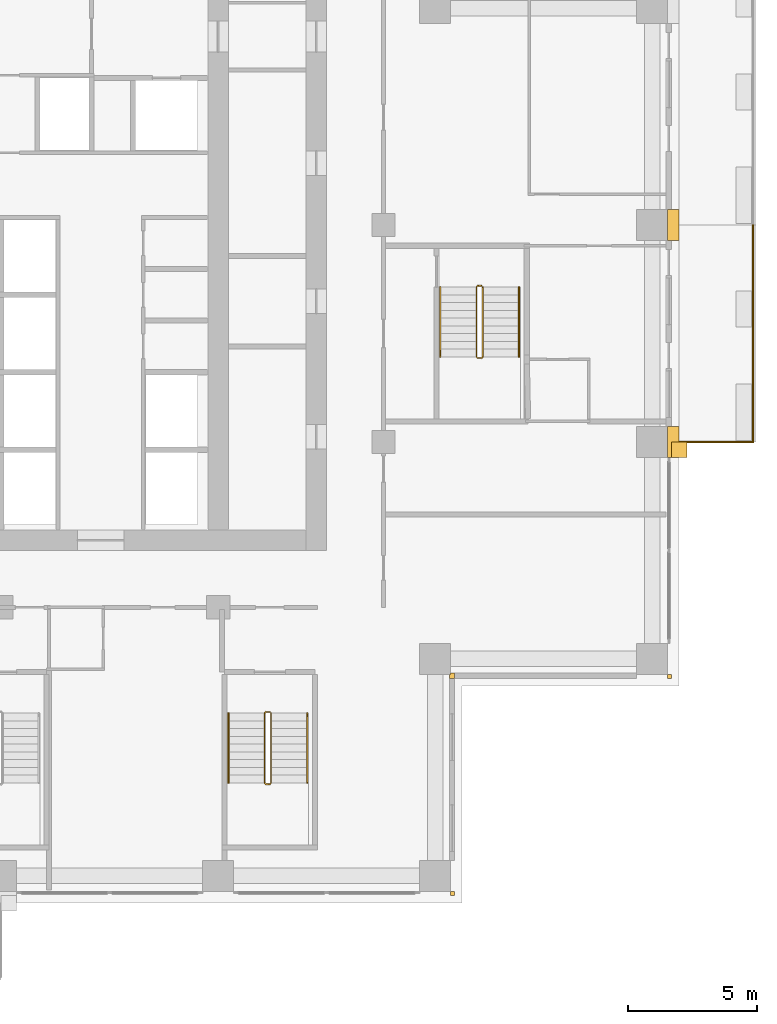
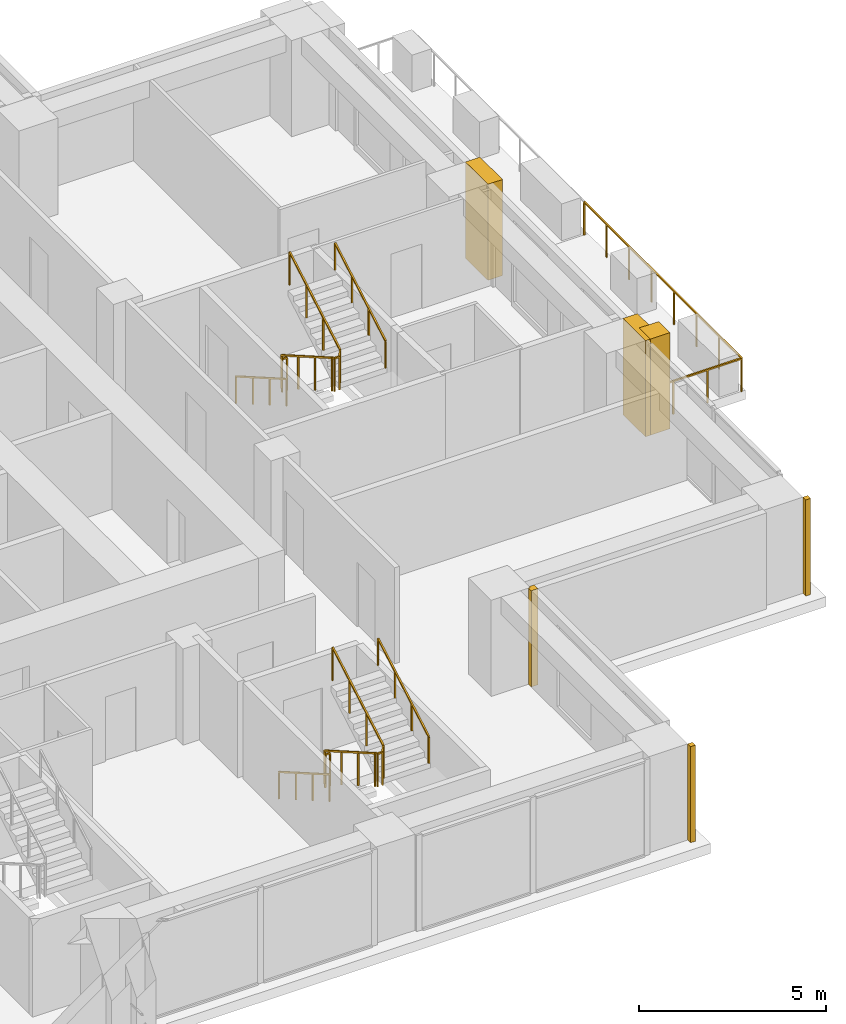
# One storey, part 14 of 16: 7 railings, 6 coverings.
"""IFC4 building model written with IfcOpenShell, lengths in metres."""

import ifcopenshell
import ifcopenshell.guid

model = None  # the IFC model being written
_history = None  # IfcOwnerHistory: only IFC2X3 demands one
_inside = {}  # id of a spatial element -> (the spatial element, [elements in it])
_under = {}  # id of a project, library or spatial element -> (it, [spatial elements below it])
_declared = {}  # id of a project -> (the project, [libraries it declares])
_typed = {}  # id of a type object -> (the type object, [elements of that type])
_made_of = {}  # id of a material, layer set ... -> (it, [elements and type objects made of it])


def new_model(schema):
    """Start an empty IFC model of exactly this schema.

    Asked for "IFC4X3", IfcOpenShell would pick the latest addendum, in which some entities
    have other attributes; the version numbers below select the first issue.
    IFC2X3 requires an IfcOwnerHistory on every rooted entity: one is made here for all.
    """
    global model, _history
    if schema == "IFC4X3":
        model = ifcopenshell.file(schema_version=(4, 3, 0, 0))
    else:
        model = ifcopenshell.file(schema=schema)
    _inside.clear()
    _under.clear()
    _declared.clear()
    _typed.clear()
    _made_of.clear()
    _history = None
    if model.schema == "IFC2X3":
        org = make("IfcOrganization", Name="unknown")
        user = make(
            "IfcPersonAndOrganization",
            ThePerson=make("IfcPerson", FamilyName="unknown"),
            TheOrganization=org,
        )
        app = make(
            "IfcApplication",
            ApplicationDeveloper=org,
            Version="unknown",
            ApplicationFullName="unknown",
            ApplicationIdentifier="unknown",
        )
        _history = make(
            "IfcOwnerHistory",
            OwningUser=user,
            OwningApplication=app,
            ChangeAction="ADDED",
            CreationDate=0,
        )
    return model


def make(cls, **values):
    """One entity of the class cls with the attributes given. An attribute that is None is left unset."""
    return model.create_entity(
        cls, **{name: value for name, value in values.items() if value is not None}
    )


def rooted(cls, **values):
    """An entity with a GlobalId (a new one), such as an element, a storey or a relation."""
    return make(cls, GlobalId=ifcopenshell.guid.new(), OwnerHistory=_history, **values)


def si_unit(unit_type, name, prefix=None):
    """IfcSIUnit, for example si_unit("LENGTHUNIT", "METRE", prefix="MILLI")."""
    return make("IfcSIUnit", UnitType=unit_type, Prefix=prefix, Name=name)


def assignment(units):
    """IfcUnitAssignment: the units of a project."""
    return None if units is None else make("IfcUnitAssignment", Units=units)


def point(xyz):
    """IfcCartesianPoint."""
    return None if xyz is None else make("IfcCartesianPoint", Coordinates=xyz)


def direction(xyz):
    """IfcDirection."""
    return None if xyz is None else make("IfcDirection", DirectionRatios=xyz)


def frame(location, z_axis=None, x_axis=None):
    """IfcAxis2Placement3D, a coordinate frame: its origin and axes. An axis left out is left unset."""
    return make(
        "IfcAxis2Placement3D",
        Location=point(location),
        Axis=direction(z_axis),
        RefDirection=direction(x_axis),
    )


def frame_2d(location, x_axis=None):
    """IfcAxis2Placement2D, a coordinate frame in the plane: its origin and x axis."""
    return make(
        "IfcAxis2Placement2D", Location=point(location), RefDirection=direction(x_axis)
    )


def origin():
    """The frame at (0, 0, 0) with its axes left unset."""
    return frame((0.0, 0.0, 0.0))


def origin_2d():
    """The frame at (0, 0) in the plane with its x axis left unset."""
    return frame_2d((0.0, 0.0))


def place(relative_to, where):
    """IfcLocalPlacement: puts the frame where relative to a parent placement (None: the world)."""
    return make(
        "IfcLocalPlacement", PlacementRelTo=relative_to, RelativePlacement=where
    )


def context(
    kind, dimensions, precision=None, world=None, true_north=None, identifier=None
):
    """IfcGeometricRepresentationContext, for example the 3D "Model" context."""
    return make(
        "IfcGeometricRepresentationContext",
        ContextIdentifier=identifier,
        ContextType=kind,
        CoordinateSpaceDimension=dimensions,
        Precision=precision,
        WorldCoordinateSystem=world,
        TrueNorth=true_north,
    )


def subcontext(parent, identifier, kind, view, scale=None):
    """IfcGeometricRepresentationSubContext, for example "Body" below "Model"."""
    return make(
        "IfcGeometricRepresentationSubContext",
        ContextIdentifier=identifier,
        ContextType=kind,
        ParentContext=parent,
        TargetScale=scale,
        TargetView=view,
    )


def project(units=None, contexts=None):
    """IfcProject with its units and contexts."""
    return rooted(
        "IfcProject",
        Name="project",
        RepresentationContexts=contexts,
        UnitsInContext=assignment(units),
    )


def spatial(cls, under=None, at=None, **own):
    """A site, building, storey or space (cls), placed at a placement, below another one or the project."""
    s = rooted(cls, ObjectPlacement=at, **own)
    if under is not None:
        _under.setdefault(under.id(), (under, []))[1].append(s)
    return s


def polyline(points):
    """IfcPolyline through the points."""
    return make("IfcPolyline", Points=[point(p) for p in points])


def profile(cls, at=None, kind="AREA", **sizes):
    """A parametric profile (cls). Its sizes go by their IFC names, for example OverallWidth=200.0."""
    return make(cls, ProfileType=kind, Position=at, **sizes)


def rectangle(**sizes):
    """IfcRectangleProfileDef."""
    return profile("IfcRectangleProfileDef", **sizes)


def outline(outer, holes=None, kind="AREA"):
    """IfcArbitraryClosedProfileDef: a profile drawn as a closed curve; with holes, ...WithVoids."""
    if holes is None:
        return make("IfcArbitraryClosedProfileDef", ProfileType=kind, OuterCurve=outer)
    return make(
        "IfcArbitraryProfileDefWithVoids",
        ProfileType=kind,
        OuterCurve=outer,
        InnerCurves=holes,
    )


def extrude(swept, where, along, depth):
    """IfcExtrudedAreaSolid: the profile swept, set in the frame where, extruded along a direction by depth."""
    return make(
        "IfcExtrudedAreaSolid",
        SweptArea=swept,
        Position=where,
        ExtrudedDirection=direction(along),
        Depth=depth,
    )


def shape(context_of_items, identifier, shape_type, items):
    """IfcShapeRepresentation: the items that make up one representation, for example the "Body"."""
    return make(
        "IfcShapeRepresentation",
        ContextOfItems=context_of_items,
        RepresentationIdentifier=identifier,
        RepresentationType=shape_type,
        Items=items,
    )


def material(Name=None, Category=None):
    """IfcMaterial."""
    return make("IfcMaterial", Name=Name, Category=Category)


def made_of(thing, what):
    """Note that an element or type object is made of a material, layer set ...; save() writes the relation."""
    if what is not None:
        _made_of.setdefault(what.id(), (what, []))[1].append(thing)
    return thing


def type_object(cls, material=None, **own):
    """A type object (cls), such as IfcWallType, which elements share."""
    return made_of(rooted(cls, **own), material)


def element(
    cls,
    number,
    at=None,
    inside=None,
    cuts=None,
    type_object=None,
    material=None,
    context=None,
    identifier="Body",
    shape_type=None,
    held_by="IfcProductDefinitionShape",
    body=None,
    shapes=None,
    **own,
):
    """One element of the class cls, such as IfcWall. Its Tag is "e" and its number.

    at: its placement. inside: the storey or other place that contains it. cuts: it is an
    opening in that element (IfcRelVoidsElement). A single representation is given by context,
    identifier, shape_type and body (its items); several are given by shapes. held_by: the class
    of the entity that holds the representations. save() writes the other relations.
    """
    e = rooted(cls, Tag="e%d" % number, ObjectPlacement=at, **own)
    if body is not None:
        shapes = [shape(context, identifier, shape_type, body)]
    if shapes is not None:
        e.Representation = make(held_by, Representations=shapes)
    if inside is not None:
        _inside.setdefault(inside.id(), (inside, []))[1].append(e)
    if cuts is not None:
        rooted(
            "IfcRelVoidsElement", RelatingBuildingElement=cuts, RelatedOpeningElement=e
        )
    if type_object is not None:
        _typed.setdefault(type_object.id(), (type_object, []))[1].append(e)
    return made_of(e, material)


def aggregate(whole, parts):
    """IfcRelAggregates: a whole, such as a stair, and the parts it consists of."""
    return rooted("IfcRelAggregates", RelatingObject=whole, RelatedObjects=parts)


def save(model, path):
    """Write the relations noted so far, then the file.

    IfcRelAggregates (storeys below a building ...), IfcRelContainedInSpatialStructure (elements
    in a storey), IfcRelDefinesByType, IfcRelAssociatesMaterial and IfcRelDeclares: one each for
    every whole, place, type object, material and project.
    """
    for whole, parts in _under.values():
        aggregate(whole, parts)
    for where, things in _inside.values():
        rooted(
            "IfcRelContainedInSpatialStructure",
            RelatedElements=things,
            RelatingStructure=where,
        )
    for kind, things in _typed.values():
        rooted("IfcRelDefinesByType", RelatedObjects=things, RelatingType=kind)
    for what, things in _made_of.values():
        rooted("IfcRelAssociatesMaterial", RelatedObjects=things, RelatingMaterial=what)
    for by, libraries in _declared.values():
        rooted("IfcRelDeclares", RelatingContext=by, RelatedDefinitions=libraries)
    model.write(path)


model = new_model("IFC4")

# Units and contexts
model_context = context("Model", 3, precision=1e-05, world=origin(), true_north=direction((0.0, 1.0)))
body_context = subcontext(model_context, "Body", "Model", "MODEL_VIEW")
ifc_project = project(units=[si_unit("LENGTHUNIT", "METRE"), si_unit("AREAUNIT", "SQUARE_METRE"), si_unit("VOLUMEUNIT", "CUBIC_METRE"), si_unit("PLANEANGLEUNIT", "RADIAN"), si_unit("MASSUNIT", "GRAM", prefix="KILO")], contexts=[model_context])

# Site, building, storey
site_placement = place(None, origin())
site = spatial("IfcSite", under=ifc_project, at=site_placement, CompositionType="ELEMENT")
building_placement = place(site_placement, origin())
building = spatial("IfcBuilding", under=site, at=building_placement, Name="Vermilion Ogive Tower", CompositionType="ELEMENT")
storey_placement = place(building_placement, frame((0.0, 0.0, 101.10009765625)))
storey = spatial("IfcBuildingStorey", under=building, at=storey_placement, Name="L25", CompositionType="ELEMENT", Elevation=101.10009765625)

# Railings
ifc_material_1 = material(Name="Stainless steel and glass", Category="steel")
railing_type_1 = type_object("IfcRailingType", Name="Balcony guard", PredefinedType="GUARDRAIL", material=ifc_material_1)
railing_1_placement = place(storey_placement, frame((25.949951171875, -4.199951171875, -0.0400390625)))
element("IfcRailing", 1, at=railing_1_placement, inside=storey, type_object=railing_type_1, Name="Guard E02", PredefinedType="GUARDRAIL", context=body_context, shape_type="SweptSolid", body=[
    extrude(rectangle(XDim=0.048095703125, YDim=0.048095703125, at=origin_2d()), frame((0.0, 0.0, 1.076171875), z_axis=(1.0, 0.0, 0.0), x_axis=(0.0, 1.0, 0.0)), (0.0, 0.0, 1.0), 3.16015625),
    extrude(rectangle(XDim=0.048095703125, YDim=0.048095703125, at=origin_2d()), frame((3.16015625, 0.0, 1.076171875), z_axis=(0.0, 1.0, 0.0), x_axis=(-1.0, 0.0, 0.0)), (0.0, 0.0, 1.0), 8.39990234375),
    extrude(rectangle(XDim=0.0419921875, YDim=0.0419921875, at=origin_2d()), origin(), (0.0, 0.0, 1.0), 1.052001953125),
    extrude(rectangle(XDim=0.0419921875, YDim=0.0419921875, at=origin_2d()), frame((1.053466796875, 0.0, 0.0)), (0.0, 0.0, 1.0), 1.052001953125),
    extrude(rectangle(XDim=0.0419921875, YDim=0.0419921875, at=origin_2d()), frame((2.106689453125, 0.0, 0.0)), (0.0, 0.0, 1.0), 1.052001953125),
    extrude(rectangle(XDim=0.0419921875, YDim=0.0419921875, at=origin_2d()), frame((3.16015625, 0.0, 0.0)), (0.0, 0.0, 1.0), 1.052001953125),
    extrude(rectangle(XDim=0.0419921875, YDim=0.0419921875, at=origin_2d()), frame((3.16015625, 1.199951171875, 0.0)), (0.0, 0.0, 1.0), 1.052001953125),
    extrude(rectangle(XDim=0.0419921875, YDim=0.0419921875, at=origin_2d()), frame((3.16015625, 2.39990234375, 0.0)), (0.0, 0.0, 1.0), 1.052001953125),
    extrude(rectangle(XDim=0.0419921875, YDim=0.0419921875, at=origin_2d()), frame((3.16015625, 3.599853515625, 0.0)), (0.0, 0.0, 1.0), 1.052001953125),
    extrude(rectangle(XDim=0.0419921875, YDim=0.0419921875, at=origin_2d()), frame((3.16015625, 4.800048828125, 0.0)), (0.0, 0.0, 1.0), 1.052001953125),
    extrude(rectangle(XDim=0.0419921875, YDim=0.0419921875, at=origin_2d()), frame((3.16015625, 6.0, 0.0)), (0.0, 0.0, 1.0), 1.052001953125),
    extrude(rectangle(XDim=0.0419921875, YDim=0.0419921875, at=origin_2d()), frame((3.16015625, 7.199951171875, 0.0)), (0.0, 0.0, 1.0), 1.052001953125),
    extrude(rectangle(XDim=0.0419921875, YDim=0.0419921875, at=origin_2d()), frame((3.16015625, 8.39990234375, 0.0)), (0.0, 0.0, 1.0), 1.052001953125),
])
ifc_material_2 = material(Name="Steel S355 painted", Category="steel")
railing_type_2 = type_object("IfcRailingType", Name="Stair guard 1100", PredefinedType="GUARDRAIL", material=ifc_material_2)
railing_2_placement = place(storey_placement, frame((10.39990234375, -14.64990234375, 0.0)))
element("IfcRailing", 2, at=railing_2_placement, inside=storey, type_object=railing_type_2, Name="L25 ST5 stair guard 4", PredefinedType="GUARDRAIL", context=body_context, shape_type="SweptSolid", body=[
    extrude(rectangle(XDim=0.048095703125, YDim=0.048095703125, at=origin_2d()), frame((0.0, 0.0, 1.076171875), z_axis=(-1.0, 0.0, 0.0), x_axis=(0.0, -1.0, 0.0)), (0.0, 0.0, 1.0), 0.14990234375),
    extrude(rectangle(XDim=0.048095703125, YDim=0.048095703125, at=origin_2d()), frame((-0.14990234375, 0.0, 1.076171875), z_axis=(-0.268603158521, -0.268603158521, 0.925043072762), x_axis=(0.707106781187, -0.707106781187, 0.0)), (0.0, 0.0, 1.0), 0.186279296875),
    extrude(rectangle(XDim=0.048095703125, YDim=0.048095703125, at=origin_2d()), frame((-0.199951171875, -0.050048828125, 1.24853515625), z_axis=(0.0, -0.866903762492, 0.498475542607), x_axis=(1.0, 0.0, 0.0)), (0.0, 0.0, 1.0), 3.114501953125),
    extrude(rectangle(XDim=0.048095703125, YDim=0.048095703125, at=origin_2d()), frame((-0.199951171875, -2.75, 2.80078125), z_axis=(0.707106781187, -0.707106781187, 0.0), x_axis=(0.707106781187, 0.707106781187, 0.0)), (0.0, 0.0, 1.0), 0.07080078125),
    extrude(rectangle(XDim=0.048095703125, YDim=0.048095703125, at=origin_2d()), frame((-0.14990234375, -2.800048828125, 2.80078125), z_axis=(1.0, 0.0, 0.0), x_axis=(0.0, 1.0, 0.0)), (0.0, 0.0, 1.0), 0.14990234375),
    extrude(rectangle(XDim=0.048095703125, YDim=0.048095703125, at=origin_2d()), frame((0.0, -2.800048828125, 2.80078125), z_axis=(0.268277960024, 0.268277960024, 0.925231793839), x_axis=(-0.707106781187, 0.707106781187, 0.0)), (0.0, 0.0, 1.0), 0.1865234375),
    extrude(rectangle(XDim=0.048095703125, YDim=0.048095703125, at=origin_2d()), frame((0.050048828125, -2.75, 2.9736328125), z_axis=(0.0, 0.866903762492, 0.498475542607), x_axis=(-1.0, 0.0, 0.0)), (0.0, 0.0, 1.0), 3.114501953125),
    extrude(rectangle(XDim=0.0419921875, YDim=0.0419921875, at=origin_2d()), origin(), (0.0, 0.0, 1.0), 1.052001953125),
    extrude(rectangle(XDim=0.0419921875, YDim=0.0419921875, at=origin_2d()), frame((-0.14990234375, 0.0, 0.0)), (0.0, 0.0, 1.0), 1.052001953125),
    extrude(rectangle(XDim=0.0419921875, YDim=0.0419921875, at=origin_2d()), frame((-0.199951171875, -0.050048828125, 0.17236328125)), (0.0, 0.0, 1.0), 1.052001953125),
    extrude(rectangle(XDim=0.0419921875, YDim=0.0419921875, at=origin_2d()), frame((-0.199951171875, -0.949951171875, 0.68994140625)), (0.0, 0.0, 1.0), 1.052001953125),
    extrude(rectangle(XDim=0.0419921875, YDim=0.0419921875, at=origin_2d()), frame((-0.199951171875, -1.85009765625, 1.207275390625)), (0.0, 0.0, 1.0), 1.052001953125),
    extrude(rectangle(XDim=0.0419921875, YDim=0.0419921875, at=origin_2d()), frame((-0.199951171875, -2.75, 1.724853515625)), (0.0, 0.0, 1.0), 1.052001953125),
    extrude(rectangle(XDim=0.0419921875, YDim=0.0419921875, at=origin_2d()), frame((-0.14990234375, -2.800048828125, 1.724853515625)), (0.0, 0.0, 1.0), 1.052001953125),
    extrude(rectangle(XDim=0.0419921875, YDim=0.0419921875, at=origin_2d()), frame((0.0, -2.800048828125, 1.724853515625)), (0.0, 0.0, 1.0), 1.052001953125),
    extrude(rectangle(XDim=0.0419921875, YDim=0.0419921875, at=origin_2d()), frame((0.050048828125, -2.75, 1.8974609375)), (0.0, 0.0, 1.0), 1.052001953125),
    extrude(rectangle(XDim=0.0419921875, YDim=0.0419921875, at=origin_2d()), frame((0.050048828125, -1.85009765625, 2.4150390625)), (0.0, 0.0, 1.0), 1.052001953125),
    extrude(rectangle(XDim=0.0419921875, YDim=0.0419921875, at=origin_2d()), frame((0.050048828125, -0.949951171875, 2.932373046875)), (0.0, 0.0, 1.0), 1.052001953125),
    extrude(rectangle(XDim=0.0419921875, YDim=0.0419921875, at=origin_2d()), frame((0.050048828125, -0.050048828125, 3.449951171875)), (0.0, 0.0, 1.0), 1.052001953125),
])
railing_3_placement = place(storey_placement, frame((18.60009765625, 1.85009765625, 0.0)))
element("IfcRailing", 3, at=railing_3_placement, inside=storey, type_object=railing_type_2, Name="L25 ST8 stair guard 4", PredefinedType="GUARDRAIL", context=body_context, shape_type="SweptSolid", body=[
    extrude(rectangle(XDim=0.048095703125, YDim=0.048095703125, at=origin_2d()), frame((0.0, 0.0, 1.076171875), z_axis=(-1.0, 0.0, 0.0), x_axis=(0.0, -1.0, 0.0)), (0.0, 0.0, 1.0), 0.150146484375),
    extrude(rectangle(XDim=0.048095703125, YDim=0.048095703125, at=origin_2d()), frame((-0.150146484375, 0.0, 1.076171875), z_axis=(-0.268603158521, -0.268603158521, 0.925043072762), x_axis=(0.707106781187, -0.707106781187, 0.0)), (0.0, 0.0, 1.0), 0.186279296875),
    extrude(rectangle(XDim=0.048095703125, YDim=0.048095703125, at=origin_2d()), frame((-0.2001953125, -0.050048828125, 1.24853515625), z_axis=(0.0, -0.866903762492, 0.498475542607), x_axis=(1.0, 0.0, 0.0)), (0.0, 0.0, 1.0), 3.114501953125),
    extrude(rectangle(XDim=0.048095703125, YDim=0.048095703125, at=origin_2d()), frame((-0.2001953125, -2.75, 2.80078125), z_axis=(0.707106781187, -0.707106781187, 0.0), x_axis=(0.707106781187, 0.707106781187, 0.0)), (0.0, 0.0, 1.0), 0.07080078125),
    extrude(rectangle(XDim=0.048095703125, YDim=0.048095703125, at=origin_2d()), frame((-0.150146484375, -2.800048828125, 2.80078125), z_axis=(1.0, 0.0, 0.0), x_axis=(0.0, 1.0, 0.0)), (0.0, 0.0, 1.0), 0.150146484375),
    extrude(rectangle(XDim=0.048095703125, YDim=0.048095703125, at=origin_2d()), frame((0.0, -2.800048828125, 2.80078125), z_axis=(0.267062837333, 0.268371968888, 0.925556009775), x_axis=(-0.708833529934, 0.705375805398, 0.0)), (0.0, 0.0, 1.0), 0.1865234375),
    extrude(rectangle(XDim=0.048095703125, YDim=0.048095703125, at=origin_2d()), frame((0.0498046875, -2.75, 2.9736328125), z_axis=(0.0, 0.866903762492, 0.498475542607), x_axis=(-1.0, 0.0, 0.0)), (0.0, 0.0, 1.0), 3.114501953125),
    extrude(rectangle(XDim=0.0419921875, YDim=0.0419921875, at=origin_2d()), origin(), (0.0, 0.0, 1.0), 1.052001953125),
    extrude(rectangle(XDim=0.0419921875, YDim=0.0419921875, at=origin_2d()), frame((-0.150146484375, 0.0, 0.0)), (0.0, 0.0, 1.0), 1.052001953125),
    extrude(rectangle(XDim=0.0419921875, YDim=0.0419921875, at=origin_2d()), frame((-0.2001953125, -0.050048828125, 0.17236328125)), (0.0, 0.0, 1.0), 1.052001953125),
    extrude(rectangle(XDim=0.0419921875, YDim=0.0419921875, at=origin_2d()), frame((-0.2001953125, -0.949951171875, 0.68994140625)), (0.0, 0.0, 1.0), 1.052001953125),
    extrude(rectangle(XDim=0.0419921875, YDim=0.0419921875, at=origin_2d()), frame((-0.2001953125, -1.85009765625, 1.207275390625)), (0.0, 0.0, 1.0), 1.052001953125),
    extrude(rectangle(XDim=0.0419921875, YDim=0.0419921875, at=origin_2d()), frame((-0.2001953125, -2.75, 1.724853515625)), (0.0, 0.0, 1.0), 1.052001953125),
    extrude(rectangle(XDim=0.0419921875, YDim=0.0419921875, at=origin_2d()), frame((-0.150146484375, -2.800048828125, 1.724853515625)), (0.0, 0.0, 1.0), 1.052001953125),
    extrude(rectangle(XDim=0.0419921875, YDim=0.0419921875, at=origin_2d()), frame((0.0, -2.800048828125, 1.724853515625)), (0.0, 0.0, 1.0), 1.052001953125),
    extrude(rectangle(XDim=0.0419921875, YDim=0.0419921875, at=origin_2d()), frame((0.0498046875, -2.75, 1.8974609375)), (0.0, 0.0, 1.0), 1.052001953125),
    extrude(rectangle(XDim=0.0419921875, YDim=0.0419921875, at=origin_2d()), frame((0.0498046875, -1.85009765625, 2.4150390625)), (0.0, 0.0, 1.0), 1.052001953125),
    extrude(rectangle(XDim=0.0419921875, YDim=0.0419921875, at=origin_2d()), frame((0.0498046875, -0.949951171875, 2.932373046875)), (0.0, 0.0, 1.0), 1.052001953125),
    extrude(rectangle(XDim=0.0419921875, YDim=0.0419921875, at=origin_2d()), frame((0.0498046875, -0.050048828125, 3.449951171875)), (0.0, 0.0, 1.0), 1.052001953125),
])
ifc_material_3 = material(Name="Stainless steel", Category="steel")
railing_type_3 = type_object("IfcRailingType", Name="Stair handrail 900", PredefinedType="HANDRAIL", material=ifc_material_3)
railing_4_placement = place(storey_placement, frame((8.800048828125, -14.699951171875, 0.17236328125)))
element("IfcRailing", 4, at=railing_4_placement, inside=storey, type_object=railing_type_3, Name="L25 ST5 stair handrail 1", PredefinedType="HANDRAIL", context=body_context, shape_type="SweptSolid", body=[
    extrude(rectangle(XDim=0.048095703125, YDim=0.048095703125, at=origin_2d()), frame((0.0, 0.0, 0.8759765625), z_axis=(0.0, -0.866903762492, 0.498475542607), x_axis=(1.0, 0.0, 0.0)), (0.0, 0.0, 1.0), 3.114501953125),
    extrude(rectangle(XDim=0.0419921875, YDim=0.0419921875, at=origin_2d()), origin(), (0.0, 0.0, 1.0), 0.851806640625),
    extrude(rectangle(XDim=0.0419921875, YDim=0.0419921875, at=origin_2d()), frame((0.0, -0.89990234375, 0.517578125)), (0.0, 0.0, 1.0), 0.851806640625),
    extrude(rectangle(XDim=0.0419921875, YDim=0.0419921875, at=origin_2d()), frame((0.0, -1.800048828125, 1.034912109375)), (0.0, 0.0, 1.0), 0.851806640625),
    extrude(rectangle(XDim=0.0419921875, YDim=0.0419921875, at=origin_2d()), frame((0.0, -2.699951171875, 1.552490234375)), (0.0, 0.0, 1.0), 0.851806640625),
])
railing_5_placement = place(storey_placement, frame((11.85009765625, -17.39990234375, 1.8974609375)))
element("IfcRailing", 5, at=railing_5_placement, inside=storey, type_object=railing_type_3, Name="L25 ST5 stair handrail 2", PredefinedType="HANDRAIL", context=body_context, shape_type="SweptSolid", body=[
    extrude(rectangle(XDim=0.048095703125, YDim=0.048095703125, at=origin_2d()), frame((0.0, 0.0, 0.8759765625), z_axis=(0.0, 0.866903762492, 0.498475542607), x_axis=(-1.0, 0.0, 0.0)), (0.0, 0.0, 1.0), 3.114501953125),
    extrude(rectangle(XDim=0.0419921875, YDim=0.0419921875, at=origin_2d()), origin(), (0.0, 0.0, 1.0), 0.851806640625),
    extrude(rectangle(XDim=0.0419921875, YDim=0.0419921875, at=origin_2d()), frame((0.0, 0.89990234375, 0.517578125)), (0.0, 0.0, 1.0), 0.851806640625),
    extrude(rectangle(XDim=0.0419921875, YDim=0.0419921875, at=origin_2d()), frame((0.0, 1.800048828125, 1.034912109375)), (0.0, 0.0, 1.0), 0.851806640625),
    extrude(rectangle(XDim=0.0419921875, YDim=0.0419921875, at=origin_2d()), frame((0.0, 2.699951171875, 1.552490234375)), (0.0, 0.0, 1.0), 0.851806640625),
])
railing_6_placement = place(storey_placement, frame((17.0, 1.800048828125, 0.17236328125)))
element("IfcRailing", 6, at=railing_6_placement, inside=storey, type_object=railing_type_3, Name="L25 ST8 stair handrail 1", PredefinedType="HANDRAIL", context=body_context, shape_type="SweptSolid", body=[
    extrude(rectangle(XDim=0.048095703125, YDim=0.048095703125, at=origin_2d()), frame((0.0, 0.0, 0.8759765625), z_axis=(0.0, -0.866903762492, 0.498475542607), x_axis=(1.0, 0.0, 0.0)), (0.0, 0.0, 1.0), 3.114501953125),
    extrude(rectangle(XDim=0.0419921875, YDim=0.0419921875, at=origin_2d()), origin(), (0.0, 0.0, 1.0), 0.851806640625),
    extrude(rectangle(XDim=0.0419921875, YDim=0.0419921875, at=origin_2d()), frame((0.0, -0.89990234375, 0.517578125)), (0.0, 0.0, 1.0), 0.851806640625),
    extrude(rectangle(XDim=0.0419921875, YDim=0.0419921875, at=origin_2d()), frame((0.0, -1.800048828125, 1.034912109375)), (0.0, 0.0, 1.0), 0.851806640625),
    extrude(rectangle(XDim=0.0419921875, YDim=0.0419921875, at=origin_2d()), frame((0.0, -2.699951171875, 1.552490234375)), (0.0, 0.0, 1.0), 0.851806640625),
])
railing_7_placement = place(storey_placement, frame((20.050048828125, -0.89990234375, 1.8974609375)))
element("IfcRailing", 7, at=railing_7_placement, inside=storey, type_object=railing_type_3, Name="L25 ST8 stair handrail 2", PredefinedType="HANDRAIL", context=body_context, shape_type="SweptSolid", body=[
    extrude(rectangle(XDim=0.048095703125, YDim=0.048095703125, at=origin_2d()), frame((0.0, 0.0, 0.8759765625), z_axis=(0.0, 0.866903762492, 0.498475542607), x_axis=(-1.0, 0.0, 0.0)), (0.0, 0.0, 1.0), 3.114501953125),
    extrude(rectangle(XDim=0.0419921875, YDim=0.0419921875, at=origin_2d()), origin(), (0.0, 0.0, 1.0), 0.851806640625),
    extrude(rectangle(XDim=0.0419921875, YDim=0.0419921875, at=origin_2d()), frame((0.0, 0.89990234375, 0.517578125)), (0.0, 0.0, 1.0), 0.851806640625),
    extrude(rectangle(XDim=0.0419921875, YDim=0.0419921875, at=origin_2d()), frame((0.0, 1.800048828125, 1.034912109375)), (0.0, 0.0, 1.0), 0.851806640625),
    extrude(rectangle(XDim=0.0419921875, YDim=0.0419921875, at=origin_2d()), frame((0.0, 2.699951171875, 1.552490234375)), (0.0, 0.0, 1.0), 0.851806640625),
])

# Coverings
ifc_material_4 = material(Name="Stone cladding", Category="masonry")
covering_type_1 = type_object("IfcCoveringType", Name="Stone corner buttress", PredefinedType="CLADDING", material=ifc_material_4)
covering_1_placement = place(storey_placement, origin())
element("IfcCovering", 8, at=covering_1_placement, inside=storey, type_object=covering_type_1, Name="Stone crease pier EK", PredefinedType="CLADDING", context=body_context, shape_type="SweptSolid", body=[
    extrude(outline(polyline([(26.550048828125, -4.800048828125), (26.550048828125, -4.199951171875), (25.949951171875, -4.199951171875), (25.949951171875, -4.800048828125), (26.550048828125, -4.800048828125)])), origin(), (0.0, 0.0, 1.0), 3.1298828125),
])
ifc_material_5 = material(Name="Stone cladding", Category="masonry")
covering_type_2 = type_object("IfcCoveringType", Name="Stone pier", PredefinedType="CLADDING", material=ifc_material_5)
covering_2_placement = place(storey_placement, origin())
element("IfcCovering", 9, at=covering_2_placement, inside=storey, type_object=covering_type_2, Name="Stone corner pier SE1", PredefinedType="CLADDING", context=body_context, shape_type="SweptSolid", body=[
    extrude(outline(polyline([(17.39990234375, -21.75), (17.39990234375, -21.60009765625), (17.39990234375, -21.60009765625), (17.550048828125, -21.60009765625), (17.550048828125, -21.75), (17.39990234375, -21.75)])), origin(), (0.0, 0.0, 1.0), 3.1298828125),
])
covering_3_placement = place(storey_placement, origin())
element("IfcCovering", 10, at=covering_3_placement, inside=storey, type_object=covering_type_2, Name="Stone corner pier X1E1", PredefinedType="CLADDING", context=body_context, shape_type="SweptSolid", body=[
    extrude(outline(polyline([(17.35009765625, -13.199951171875), (17.39990234375, -13.199951171875), (17.39990234375, -13.14990234375), (17.550048828125, -13.14990234375), (17.550048828125, -13.35009765625), (17.35009765625, -13.35009765625), (17.35009765625, -13.199951171875)])), origin(), (0.0, 0.0, 1.0), 3.1298828125),
])
covering_4_placement = place(storey_placement, origin())
element("IfcCovering", 11, at=covering_4_placement, inside=storey, type_object=covering_type_2, Name="Stone corner pier X2E1", PredefinedType="CLADDING", context=body_context, shape_type="SweptSolid", body=[
    extrude(outline(polyline([(25.800048828125, -13.35009765625), (25.800048828125, -13.199951171875), (25.949951171875, -13.199951171875), (25.949951171875, -13.35009765625), (25.800048828125, -13.35009765625)])), origin(), (0.0, 0.0, 1.0), 3.1298828125),
])
covering_5_placement = place(storey_placement, origin())
element("IfcCovering", 12, at=covering_5_placement, inside=storey, type_object=covering_type_2, Name="Stone pier P+0252+042", PredefinedType="CLADDING", context=body_context, shape_type="SweptSolid", body=[
    extrude(outline(polyline([(25.800048828125, 4.800048828125), (25.800048828125, 4.800048828125), (26.25, 4.800048828125), (26.25, 3.60009765625), (25.800048828125, 3.60009765625), (25.800048828125, 3.60009765625), (25.800048828125, 4.800048828125)])), origin(), (0.0, 0.0, 1.0), 3.1298828125),
])
covering_6_placement = place(storey_placement, origin())
element("IfcCovering", 13, at=covering_6_placement, inside=storey, type_object=covering_type_2, Name="Stone pier P+0252-042", PredefinedType="CLADDING", context=body_context, shape_type="SweptSolid", body=[
    extrude(outline(polyline([(25.800048828125, -3.60009765625), (26.25, -3.60009765625), (26.25, -4.199951171875), (25.949951171875, -4.199951171875), (25.949951171875, -4.800048828125), (26.25, -4.800048828125), (26.25, -4.800048828125), (25.800048828125, -4.800048828125), (25.800048828125, -4.800048828125), (25.800048828125, -3.60009765625)])), origin(), (0.0, 0.0, 1.0), 3.1298828125),
])

save(model, "model.ifc")
